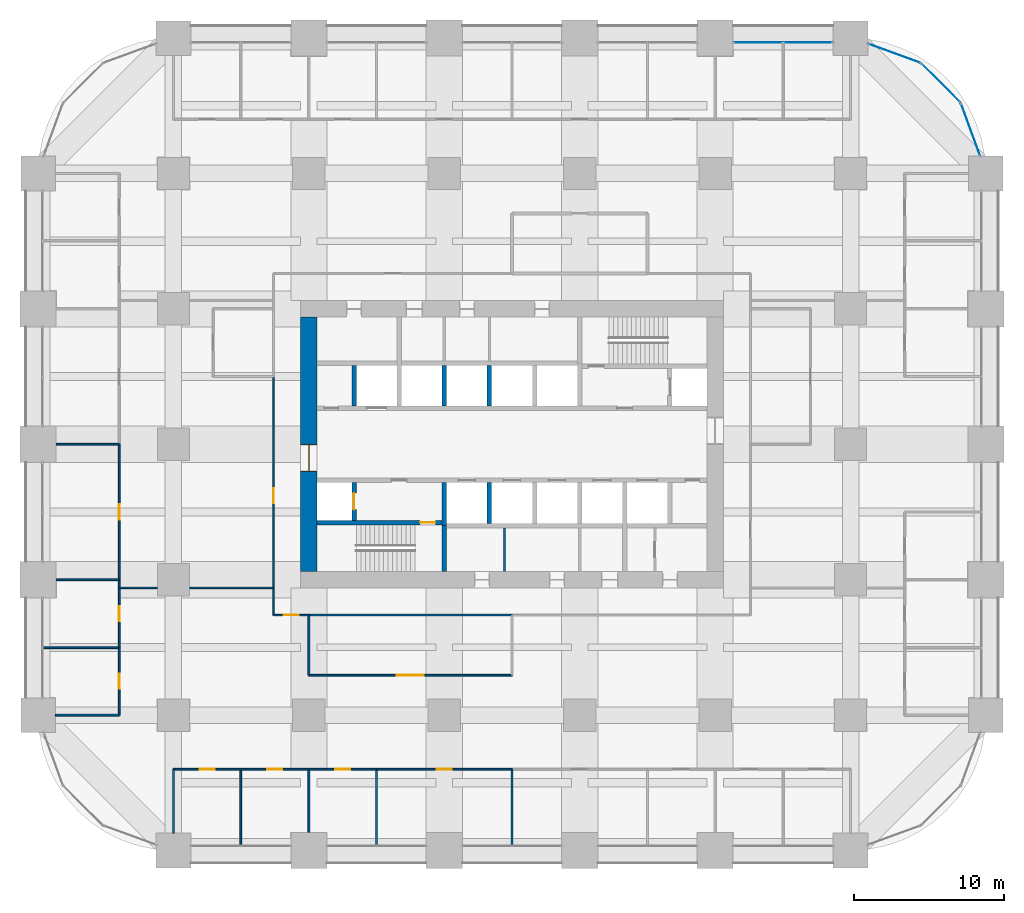
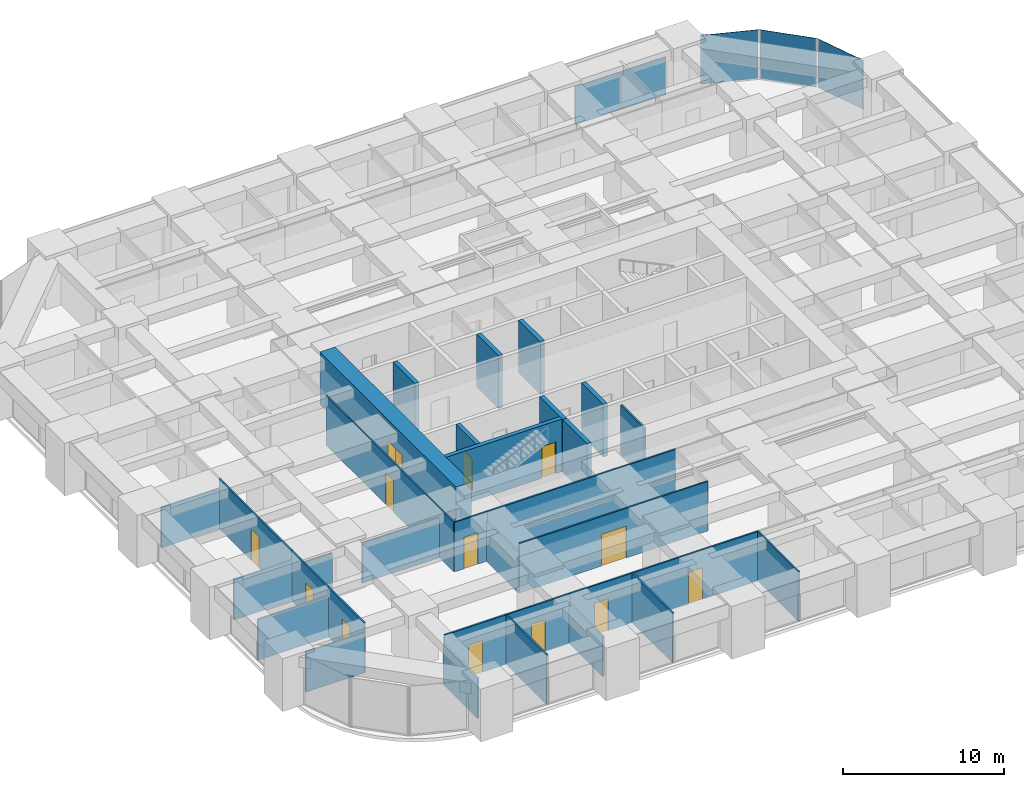
# One storey, part 39 of 45: 33 walls, 13 doors, 5 plates, 13 openings, 4 elements without a shape of their own.
"""IFC4 building model written with IfcOpenShell, lengths in metres."""

from ifc_helpers import new_model, si_unit, direction, frame, frame_2d, origin, origin_2d, place, context, subcontext, project, spatial, rectangle, extrude, material, layer, layer_set, type_object, element, fill, aggregate, save


model = new_model("IFC4")

# Units and contexts
model_context = context("Model", 3, precision=1e-05, world=origin(), true_north=direction((0.0, 1.0)))
body_context = subcontext(model_context, "Body", "Model", "MODEL_VIEW")
ifc_project = project(units=[si_unit("LENGTHUNIT", "METRE"), si_unit("AREAUNIT", "SQUARE_METRE"), si_unit("VOLUMEUNIT", "CUBIC_METRE"), si_unit("PLANEANGLEUNIT", "RADIAN"), si_unit("MASSUNIT", "GRAM", prefix="KILO")], contexts=[model_context])

# Site, building, storey
site_placement = place(None, origin())
site = spatial("IfcSite", under=ifc_project, at=site_placement, CompositionType="ELEMENT")
building_placement = place(site_placement, origin())
building = spatial("IfcBuilding", under=site, at=building_placement, Name="Zorevar Civic Tower", CompositionType="ELEMENT")
storey_placement = place(building_placement, frame((0.0, 0.0, 71.800048828125)))
storey = spatial("IfcBuildingStorey", under=building, at=storey_placement, Name="L17", CompositionType="ELEMENT", Elevation=71.800048828125)

# Curtain wall, plates
ifc_material_1 = material(Name="Dark grey solar-control glass in black aluminium frame", Category="aluminium")
curtain_wall_type = type_object("IfcCurtainWallType", Name="Curtain wall CW2 low zone", PredefinedType="NOTDEFINED", material=ifc_material_1)
curtain_wall_1_placement = place(storey_placement, origin())
curtain_wall_1 = element("IfcCurtainWall", 1, at=curtain_wall_1_placement, inside=storey, type_object=curtain_wall_type, Name="CW2 L17", PredefinedType="NOTDEFINED")
ifc_material_2 = material(Name="Dark grey solar-control glass", Category="glass")
ifc_layer_1 = layer(ifc_material_2, 0.031982421875)
ifc_layer_set_1 = layer_set([ifc_layer_1], Name="CW2 panel 32")
plate_type = type_object("IfcPlateType", Name="CW2 panel 32", PredefinedType="CURTAIN_PANEL", material=ifc_layer_set_1)
plate_1_placement = place(storey_placement, frame((47.87744140625, 53.699951171875, 0.06005859375), z_axis=(0.0, 0.0, 1.0), x_axis=(1.0, 0.0, 0.0)))
plate_1 = element("IfcPlate", 2, at=plate_1_placement, type_object=plate_type, Name="CW2 panel 1.1", PredefinedType="CURTAIN_PANEL", context=body_context, shape_type="SweptSolid", body=[
    extrude(rectangle(XDim=3.235107421875, YDim=0.031982421875, at=origin_2d()), origin(), (0.0, 0.0, 1.0), 2.889892578125),
])
plate_2_placement = place(storey_placement, frame((51.172607421875, 53.699951171875, 0.06005859375), z_axis=(0.0, 0.0, 1.0), x_axis=(1.0, 0.0, 0.0)))
plate_2 = element("IfcPlate", 3, at=plate_2_placement, type_object=plate_type, Name="CW2 panel 2.1", PredefinedType="CURTAIN_PANEL", context=body_context, shape_type="SweptSolid", body=[
    extrude(rectangle(XDim=3.235107421875, YDim=0.031982421875, at=origin_2d()), origin(), (0.0, 0.0, 1.0), 2.889892578125),
])
aggregate(curtain_wall_1, [plate_1, plate_2])

# Curtain wall, plate
curtain_wall_2_placement = place(storey_placement, origin())
curtain_wall_2 = element("IfcCurtainWall", 4, at=curtain_wall_2_placement, inside=storey, type_object=curtain_wall_type, Name="CW2 L17", PredefinedType="NOTDEFINED")
plate_3_placement = place(storey_placement, frame((61.979248046875, 47.914306640625, 0.06005859375), z_axis=(0.0, 0.0, 1.0), x_axis=(-0.343060400701, 0.939313345732, 0.0)))
plate_3 = element("IfcPlate", 5, at=plate_3_placement, type_object=plate_type, Name="CW2 panel 1.1", PredefinedType="CURTAIN_PANEL", context=body_context, shape_type="SweptSolid", body=[
    extrude(rectangle(XDim=3.636474609375, YDim=0.031982421875, at=origin_2d()), origin(), (0.0, 0.0, 1.0), 3.68994140625),
])
aggregate(curtain_wall_2, [plate_3])

curtain_wall_3_placement = place(storey_placement, origin())
curtain_wall_3 = element("IfcCurtainWall", 6, at=curtain_wall_3_placement, inside=storey, type_object=curtain_wall_type, Name="CW2 L17", PredefinedType="NOTDEFINED")
plate_4_placement = place(storey_placement, frame((60.0068359375, 51.0068359375, 0.06005859375), z_axis=(0.0, 0.0, 1.0), x_axis=(-0.707106781187, 0.707106781187, 0.0)))
plate_4 = element("IfcPlate", 7, at=plate_4_placement, type_object=plate_type, Name="CW2 panel 1.1", PredefinedType="CURTAIN_PANEL", context=body_context, shape_type="SweptSolid", body=[
    extrude(rectangle(XDim=3.636474609375, YDim=0.031982421875, at=origin_2d()), origin(), (0.0, 0.0, 1.0), 3.68994140625),
])
aggregate(curtain_wall_3, [plate_4])

curtain_wall_4_placement = place(storey_placement, origin())
curtain_wall_4 = element("IfcCurtainWall", 8, at=curtain_wall_4_placement, inside=storey, type_object=curtain_wall_type, Name="CW2 L17", PredefinedType="NOTDEFINED")
plate_5_placement = place(storey_placement, frame((56.914306640625, 52.979248046875, 0.06005859375), z_axis=(0.0, 0.0, 1.0), x_axis=(-0.939313345732, 0.343060400701, 0.0)))
plate_5 = element("IfcPlate", 9, at=plate_5_placement, type_object=plate_type, Name="CW2 panel 1.1", PredefinedType="CURTAIN_PANEL", context=body_context, shape_type="SweptSolid", body=[
    extrude(rectangle(XDim=3.636474609375, YDim=0.031982421875, at=origin_2d()), origin(), (0.0, 0.0, 1.0), 3.68994140625),
])
aggregate(curtain_wall_4, [plate_5])

# Wall, opening, door
ifc_material_3 = material(Name="Concrete C50/60", Category="concrete")
ifc_layer_2 = layer(ifc_material_3, 1.10009765625)
ifc_layer_set_2 = layer_set([ifc_layer_2], Name="Core wall 1100")
wall_type_1 = type_object("IfcWallType", Name="Core wall 1100", PredefinedType="SHEAR", material=ifc_layer_set_2)
wall_1_placement = place(storey_placement, frame((18.0, 35.449951171875, 0.0), z_axis=(0.0, 0.0, 1.0), x_axis=(0.0, -1.0, 0.0)))
wall_1 = element("IfcWall", 10, at=wall_1_placement, inside=storey, type_object=wall_type_1, Name="Core wall W L17", PredefinedType="SHEAR", context=body_context, shape_type="SweptSolid", body=[
    extrude(rectangle(XDim=16.89990234375, YDim=1.10009765625, at=frame_2d((8.449951171875, 0.0))), origin(), (0.0, 0.0, 1.0), 4.0),
])
opening_1_placement = place(wall_1_placement, frame((8.449951171875, 0.0, 0.0)))
opening_1 = element("IfcOpeningElement", 11, at=opening_1_placement, cuts=wall_1, Name="Opening L17.01", PredefinedType="OPENING", context=body_context, shape_type="SweptSolid", body=[
    extrude(rectangle(XDim=1.800048828125, YDim=2.39990234375, at=frame_2d((0.89990234375, 1.199951171875))), frame((0.0, 0.56005859375, 0.0), z_axis=(0.0, -1.0, 0.0), x_axis=(1.0, 0.0, 0.0)), (0.0, 0.0, 1.0), 1.1201171875),
])
ifc_material_4 = material(Name="Steel door set", Category="steel")
door_type_1 = type_object("IfcDoorType", Name="Fire door FD2 1800x2400", OperationType="DOUBLE_DOOR_DOUBLE_SWING", PredefinedType="DOOR", material=ifc_material_4)
door_1_placement = place(opening_1_placement, origin())
door_1 = element("IfcDoor", 12, at=door_1_placement, inside=storey, type_object=door_type_1, Name="Door L17 00", OperationType="DOUBLE_DOOR_DOUBLE_SWING", OverallHeight=2.39990234375, OverallWidth=1.800048828125, PredefinedType="DOOR", context=body_context, shape_type="SweptSolid", body=[
    extrude(rectangle(XDim=1.800048828125, YDim=2.39990234375, at=frame_2d((0.89990234375, 1.199951171875))), frame((0.0, 0.030029296875, 0.0), z_axis=(0.0, -1.0, 0.0), x_axis=(1.0, 0.0, 0.0)), (0.0, 0.0, 1.0), 0.06005859375),
    extrude(rectangle(XDim=0.04, YDim=2.39990234375, at=frame_2d((0.02001953125, 1.199951171875))), frame((0.0, 0.5498046875, 0.0), z_axis=(0.0, -1.0, 0.0), x_axis=(1.0, 0.0, 0.0)), (0.0, 0.0, 1.0), 1.099609375),
    extrude(rectangle(XDim=0.04, YDim=2.39990234375, at=frame_2d((1.780029296875, 1.199951171875))), frame((0.0, 0.5498046875, 0.0), z_axis=(0.0, -1.0, 0.0), x_axis=(1.0, 0.0, 0.0)), (0.0, 0.0, 1.0), 1.099609375),
    extrude(rectangle(XDim=1.800048828125, YDim=0.04, at=frame_2d((0.89990234375, 2.3798828125))), frame((0.0, 0.5498046875, 0.0), z_axis=(0.0, -1.0, 0.0), x_axis=(1.0, 0.0, 0.0)), (0.0, 0.0, 1.0), 1.099609375),
])
fill(opening_1, door_1)

ifc_material_5 = material(Name="Laminated glass in black aluminium frame", Category="aluminium")
ifc_layer_3 = layer(ifc_material_5, 0.10009765625)
ifc_layer_set_3 = layer_set([ifc_layer_3], Name="Glazed partition 100")
wall_type_2 = type_object("IfcWallType", Name="Glazed partition 100", PredefinedType="PARTITIONING", material=ifc_layer_set_3)
wall_2_placement = place(storey_placement, frame((15.64990234375, 15.64990234375, 0.0), z_axis=(0.0, 0.0, 1.0), x_axis=(1.0, 0.0, 0.0)))
wall_2 = element("IfcWall", 13, at=wall_2_placement, inside=storey, type_object=wall_type_2, Name="Glazed partition 100 L17", PredefinedType="PARTITIONING", context=body_context, shape_type="SweptSolid", body=[
    extrude(rectangle(XDim=2.35009765625, YDim=0.10009765625, at=frame_2d((1.175048828125, 0.0))), origin(), (0.0, 0.0, 1.0), 3.75),
])
opening_2_placement = place(wall_2_placement, frame((0.675048828125, 0.0, 0.0)))
opening_2 = element("IfcOpeningElement", 14, at=opening_2_placement, cuts=wall_2, Name="Opening L17.26", PredefinedType="OPENING", context=body_context, shape_type="SweptSolid", body=[
    extrude(rectangle(XDim=1.0, YDim=2.39990234375, at=frame_2d((0.5, 1.199951171875))), frame((0.0, 0.06005859375, 0.0), z_axis=(0.0, -1.0, 0.0), x_axis=(1.0, 0.0, 0.0)), (0.0, 0.0, 1.0), 0.1201171875),
])
ifc_material_6 = material(Name="Timber door set", Category="wood")
door_type_2 = type_object("IfcDoorType", Name="Glazed door GD1 1000x2400", OperationType="SINGLE_SWING_LEFT", PredefinedType="DOOR", material=ifc_material_6)
door_2_placement = place(opening_2_placement, origin())
door_2 = element("IfcDoor", 15, at=door_2_placement, inside=storey, type_object=door_type_2, Name="Door L17 D1", OperationType="SINGLE_SWING_RIGHT", OverallHeight=2.39990234375, OverallWidth=1.0, PredefinedType="DOOR", context=body_context, shape_type="SweptSolid", body=[
    extrude(rectangle(XDim=1.0, YDim=2.39990234375, at=frame_2d((0.5, 1.199951171875))), frame((0.0, 0.02001953125, 0.0), z_axis=(0.0, -1.0, 0.0), x_axis=(1.0, 0.0, 0.0)), (0.0, 0.0, 1.0), 0.0400390625),
])
fill(opening_2, door_2)

# Walls
wall_3_placement = place(storey_placement, frame((5.389892578125, 17.449951171875, 0.0), z_axis=(0.0, 0.0, 1.0), x_axis=(1.0, 0.0, 0.0)))
element("IfcWall", 16, at=wall_3_placement, inside=storey, type_object=wall_type_2, Name="Glazed partition 100 L17", PredefinedType="PARTITIONING", context=body_context, shape_type="SweptSolid", body=[
    extrude(rectangle(XDim=2.53515625, YDim=0.10009765625, at=frame_2d((1.267578125, 0.0))), origin(), (0.0, 0.0, 1.0), 3.050048828125),
])
wall_4_placement = place(storey_placement, frame((10.074951171875, 17.449951171875, 0.0), z_axis=(0.0, 0.0, 1.0), x_axis=(1.0, 0.0, 0.0)))
element("IfcWall", 17, at=wall_4_placement, inside=storey, type_object=wall_type_2, Name="Glazed partition 100 L17", PredefinedType="PARTITIONING", context=body_context, shape_type="SweptSolid", body=[
    extrude(rectangle(XDim=5.574951171875, YDim=0.10009765625, at=frame_2d((2.78759765625, 0.0))), origin(), (0.0, 0.0, 1.0), 3.050048828125),
])

# Wall, opening, door
wall_5_placement = place(storey_placement, frame((15.64990234375, 15.64990234375, 0.0), z_axis=(0.0, 0.0, 1.0), x_axis=(0.0, 1.0, 0.0)))
wall_5 = element("IfcWall", 18, at=wall_5_placement, inside=storey, type_object=wall_type_2, Name="Glazed partition 100 L17", PredefinedType="PARTITIONING", context=body_context, shape_type="SweptSolid", body=[
    extrude(rectangle(XDim=15.85009765625, YDim=0.10009765625, at=frame_2d((7.925048828125, 0.0))), origin(), (0.0, 0.0, 1.0), 3.75),
])
opening_3_placement = place(wall_5_placement, frame((7.425048828125, 0.0, 0.0)))
opening_3 = element("IfcOpeningElement", 19, at=opening_3_placement, cuts=wall_5, Name="Opening L17.44", PredefinedType="OPENING", context=body_context, shape_type="SweptSolid", body=[
    extrude(rectangle(XDim=1.0, YDim=2.39990234375, at=frame_2d((0.5, 1.199951171875))), frame((0.0, 0.06005859375, 0.0), z_axis=(0.0, -1.0, 0.0), x_axis=(1.0, 0.0, 0.0)), (0.0, 0.0, 1.0), 0.1201171875),
])
door_3_placement = place(opening_3_placement, origin())
door_3 = element("IfcDoor", 20, at=door_3_placement, inside=storey, type_object=door_type_2, Name="Door L17 D1", OperationType="SINGLE_SWING_RIGHT", OverallHeight=2.39990234375, OverallWidth=1.0, PredefinedType="DOOR", context=body_context, shape_type="SweptSolid", body=[
    extrude(rectangle(XDim=1.0, YDim=2.39990234375, at=frame_2d((0.5, 1.199951171875))), frame((0.0, 0.02001953125, 0.0), z_axis=(0.0, -1.0, 0.0), x_axis=(1.0, 0.0, 0.0)), (0.0, 0.0, 1.0), 0.0400390625),
])
fill(opening_3, door_3)

ifc_material_7 = material(Name="Concrete C40/50", Category="concrete")
ifc_layer_4 = layer(ifc_material_7, 0.300048828125)
ifc_layer_set_4 = layer_set([ifc_layer_4], Name="Inner core wall 300")
wall_type_3 = type_object("IfcWallType", Name="Inner core wall 300", PredefinedType="SHEAR", material=ifc_layer_set_4)
wall_6_placement = place(storey_placement, frame((18.550048828125, 21.800048828125, 0.0), z_axis=(0.0, 0.0, 1.0), x_axis=(1.0, 0.0, 0.0)))
wall_6 = element("IfcWall", 21, at=wall_6_placement, inside=storey, type_object=wall_type_3, Name="Inner core wall S00 L17", PredefinedType="SHEAR", context=body_context, shape_type="SweptSolid", body=[
    extrude(rectangle(XDim=8.300048828125, YDim=0.300048828125, at=frame_2d((4.14990234375, 0.0))), origin(), (0.0, 0.0, 1.0), 4.0),
])
opening_4_placement = place(wall_6_placement, frame((6.85009765625, 0.0, 0.0)))
opening_4 = element("IfcOpeningElement", 22, at=opening_4_placement, cuts=wall_6, Name="Opening L17.11", PredefinedType="OPENING", context=body_context, shape_type="SweptSolid", body=[
    extrude(rectangle(XDim=1.0, YDim=2.39990234375, at=frame_2d((0.5, 1.199951171875))), frame((0.0, 0.159912109375, 0.0), z_axis=(0.0, -1.0, 0.0), x_axis=(1.0, 0.0, 0.0)), (0.0, 0.0, 1.0), 0.320068359375),
])
ifc_material_8 = material(Name="Steel door set", Category="steel")
door_type_3 = type_object("IfcDoorType", Name="Fire door FD1 1000x2400", OperationType="SINGLE_SWING_LEFT", PredefinedType="DOOR", material=ifc_material_8)
door_4_placement = place(opening_4_placement, origin())
door_4 = element("IfcDoor", 23, at=door_4_placement, inside=storey, type_object=door_type_3, Name="Door L17 10", OperationType="SINGLE_SWING_RIGHT", OverallHeight=2.39990234375, OverallWidth=1.0, PredefinedType="DOOR", context=body_context, shape_type="SweptSolid", body=[
    extrude(rectangle(XDim=1.0, YDim=2.39990234375, at=frame_2d((0.5, 1.199951171875))), frame((0.0, 0.030029296875, 0.0), z_axis=(0.0, -1.0, 0.0), x_axis=(1.0, 0.0, 0.0)), (0.0, 0.0, 1.0), 0.06005859375),
])
fill(opening_4, door_4)

# Wall
wall_7_placement = place(storey_placement, frame((27.0, 18.550048828125, 0.0), z_axis=(0.0, 0.0, 1.0), x_axis=(0.0, 1.0, 0.0)))
element("IfcWall", 24, at=wall_7_placement, inside=storey, type_object=wall_type_3, Name="Inner core wall S01 L17", PredefinedType="SHEAR", context=body_context, shape_type="SweptSolid", body=[
    extrude(rectangle(XDim=3.050048828125, YDim=0.300048828125, at=frame_2d((1.52490234375, 0.0))), origin(), (0.0, 0.0, 1.0), 4.0),
])

# Wall, opening, door
wall_8_placement = place(storey_placement, frame((21.0, 21.949951171875, 0.0), z_axis=(0.0, 0.0, 1.0), x_axis=(0.0, 1.0, 0.0)))
wall_8 = element("IfcWall", 25, at=wall_8_placement, inside=storey, type_object=wall_type_3, Name="Inner core wall S02 L17", PredefinedType="SHEAR", context=body_context, shape_type="SweptSolid", body=[
    extrude(rectangle(XDim=2.5, YDim=0.300048828125, at=frame_2d((1.25, 0.0))), origin(), (0.0, 0.0, 1.0), 4.0),
])
opening_5_placement = place(wall_8_placement, frame((0.699951171875, 0.0, 0.0)))
opening_5 = element("IfcOpeningElement", 26, at=opening_5_placement, cuts=wall_8, Name="Opening L17.FL1", PredefinedType="OPENING", context=body_context, shape_type="SweptSolid", body=[
    extrude(rectangle(XDim=1.10009765625, YDim=2.39990234375, at=frame_2d((0.550048828125, 1.199951171875))), frame((0.0, 0.159912109375, 0.0), z_axis=(0.0, -1.0, 0.0), x_axis=(1.0, 0.0, 0.0)), (0.0, 0.0, 1.0), 0.320068359375),
])
ifc_material_9 = material(Name="Steel door set", Category="steel")
door_type_4 = type_object("IfcDoorType", Name="Firefighting lift landing door LD3 1100x2400", OperationType="DOUBLE_DOOR_SLIDING", PredefinedType="DOOR", material=ifc_material_9)
door_5_placement = place(opening_5_placement, origin())
door_5 = element("IfcDoor", 27, at=door_5_placement, inside=storey, type_object=door_type_4, Name="Landing door FL1 L17", OperationType="DOUBLE_DOOR_SLIDING", OverallHeight=2.39990234375, OverallWidth=1.10009765625, PredefinedType="DOOR", context=body_context, shape_type="SweptSolid", body=[
    extrude(rectangle(XDim=1.10009765625, YDim=2.39990234375, at=frame_2d((0.550048828125, 1.199951171875))), frame((0.0, 0.030029296875, 0.0), z_axis=(0.0, -1.0, 0.0), x_axis=(1.0, 0.0, 0.0)), (0.0, 0.0, 1.0), 0.06005859375),
])
fill(opening_5, door_5)

# Walls
for number, where, z_axis, x_axis, name in (
    (28, (30.0, 21.75, 0.0), (0.0, 0.0, 1.0), (0.0, 1.0, 0.0), "Inner core wall S05 L17"),
    (29, (30.0, 29.550048828125, 0.0), (0.0, 0.0, 1.0), (0.0, 1.0, 0.0), "Inner core wall N06 L17"),
    (30, (27.0, 29.550048828125, 0.0), (0.0, 0.0, 1.0), (0.0, 1.0, 0.0), "Inner core wall N07 L17"),
    (31, (21.0, 29.550048828125, 0.0), (0.0, 0.0, 1.0), (0.0, 1.0, 0.0), "Inner core wall N09 L17"),
):
    element("IfcWall", number, at=place(storey_placement, frame(where, z_axis=z_axis, x_axis=x_axis)), inside=storey, type_object=wall_type_3, Name=name, PredefinedType="SHEAR", context=body_context, shape_type="SweptSolid", body=[
        extrude(rectangle(XDim=2.699951171875, YDim=0.300048828125, at=frame_2d((1.35009765625, 0.0))), origin(), (0.0, 0.0, 1.0), 4.0),
    ])
wall_9_placement = place(storey_placement, frame((27.0, 21.60009765625, 0.0), z_axis=(0.0, 0.0, 1.0), x_axis=(0.0, 1.0, 0.0)))
element("IfcWall", 32, at=wall_9_placement, inside=storey, type_object=wall_type_3, Name="Inner core wall S10 L17", PredefinedType="SHEAR", context=body_context, shape_type="SweptSolid", body=[
    extrude(rectangle(XDim=2.849853515625, YDim=0.300048828125, at=frame_2d((1.4248046875, 0.0))), origin(), (0.0, 0.0, 1.0), 4.0),
])

# Wall, opening, door
ifc_material_10 = material(Name="Gypsum board on steel studs", Category="steel")
ifc_layer_5 = layer(ifc_material_10, 0.1201171875)
ifc_layer_set_5 = layer_set([ifc_layer_5], Name="Partition 120")
wall_type_4 = type_object("IfcWallType", Name="Partition 120", PredefinedType="PARTITIONING", material=ifc_layer_set_5)
wall_10_placement = place(storey_placement, frame((9.0, 5.39990234375, 0.0), z_axis=(0.0, 0.0, 1.0), x_axis=(1.0, 0.0, 0.0)))
wall_10 = element("IfcWall", 33, at=wall_10_placement, inside=storey, type_object=wall_type_4, Name="Partition 120 L17", PredefinedType="PARTITIONING", context=body_context, shape_type="SweptSolid", body=[
    extrude(rectangle(XDim=4.47509765625, YDim=0.1201171875, at=frame_2d((2.237548828125, 0.0))), origin(), (0.0, 0.0, 1.0), 3.75),
])
opening_6_placement = place(wall_10_placement, frame((1.738037109375, 0.0, 0.0)))
opening_6 = element("IfcOpeningElement", 34, at=opening_6_placement, cuts=wall_10, Name="Opening L17.17", PredefinedType="OPENING", context=body_context, shape_type="SweptSolid", body=[
    extrude(rectangle(XDim=1.0, YDim=2.39990234375, at=frame_2d((0.5, 1.199951171875))), frame((0.0, 0.070068359375, 0.0), z_axis=(0.0, -1.0, 0.0), x_axis=(1.0, 0.0, 0.0)), (0.0, 0.0, 1.0), 0.14013671875),
])
ifc_material_11 = material(Name="Timber door set", Category="wood")
door_type_5 = type_object("IfcDoorType", Name="Door D1 1000x2400", OperationType="SINGLE_SWING_LEFT", PredefinedType="DOOR", material=ifc_material_11)
door_6_placement = place(opening_6_placement, origin())
door_6 = element("IfcDoor", 35, at=door_6_placement, inside=storey, type_object=door_type_5, Name="Door L17 D1", OperationType="SINGLE_SWING_RIGHT", OverallHeight=2.39990234375, OverallWidth=1.0, PredefinedType="DOOR", context=body_context, shape_type="SweptSolid", body=[
    extrude(rectangle(XDim=1.0, YDim=2.39990234375, at=frame_2d((0.5, 1.199951171875))), frame((0.0, 0.02490234375, 0.0), z_axis=(0.0, -1.0, 0.0), x_axis=(1.0, 0.0, 0.0)), (0.0, 0.0, 1.0), 0.050048828125),
])
fill(opening_6, door_6)

wall_11_placement = place(storey_placement, frame((13.47509765625, 5.39990234375, 0.0), z_axis=(0.0, 0.0, 1.0), x_axis=(1.0, 0.0, 0.0)))
wall_11 = element("IfcWall", 36, at=wall_11_placement, inside=storey, type_object=wall_type_4, Name="Partition 120 L17", PredefinedType="PARTITIONING", context=body_context, shape_type="SweptSolid", body=[
    extrude(rectangle(XDim=4.52490234375, YDim=0.1201171875, at=frame_2d((2.262451171875, 0.0))), origin(), (0.0, 0.0, 1.0), 3.75),
])
opening_7_placement = place(wall_11_placement, frame((1.762939453125, 0.0, 0.0)))
opening_7 = element("IfcOpeningElement", 37, at=opening_7_placement, cuts=wall_11, Name="Opening L17.18", PredefinedType="OPENING", context=body_context, shape_type="SweptSolid", body=[
    extrude(rectangle(XDim=1.0, YDim=2.39990234375, at=frame_2d((0.5, 1.199951171875))), frame((0.0, 0.070068359375, 0.0), z_axis=(0.0, -1.0, 0.0), x_axis=(1.0, 0.0, 0.0)), (0.0, 0.0, 1.0), 0.14013671875),
])
door_7_placement = place(opening_7_placement, origin())
door_7 = element("IfcDoor", 38, at=door_7_placement, inside=storey, type_object=door_type_5, Name="Door L17 D1", OperationType="SINGLE_SWING_RIGHT", OverallHeight=2.39990234375, OverallWidth=1.0, PredefinedType="DOOR", context=body_context, shape_type="SweptSolid", body=[
    extrude(rectangle(XDim=1.0, YDim=2.39990234375, at=frame_2d((0.5, 1.199951171875))), frame((0.0, 0.02490234375, 0.0), z_axis=(0.0, -1.0, 0.0), x_axis=(1.0, 0.0, 0.0)), (0.0, 0.0, 1.0), 0.050048828125),
])
fill(opening_7, door_7)

wall_12_placement = place(storey_placement, frame((18.0, 5.39990234375, 0.0), z_axis=(0.0, 0.0, 1.0), x_axis=(1.0, 0.0, 0.0)))
wall_12 = element("IfcWall", 39, at=wall_12_placement, inside=storey, type_object=wall_type_4, Name="Partition 120 L17", PredefinedType="PARTITIONING", context=body_context, shape_type="SweptSolid", body=[
    extrude(rectangle(XDim=4.5, YDim=0.1201171875, at=frame_2d((2.25, 0.0))), origin(), (0.0, 0.0, 1.0), 3.75),
])
opening_8_placement = place(wall_12_placement, frame((1.75, 0.0, 0.0)))
opening_8 = element("IfcOpeningElement", 40, at=opening_8_placement, cuts=wall_12, Name="Opening L17.19", PredefinedType="OPENING", context=body_context, shape_type="SweptSolid", body=[
    extrude(rectangle(XDim=1.0, YDim=2.39990234375, at=frame_2d((0.5, 1.199951171875))), frame((0.0, 0.070068359375, 0.0), z_axis=(0.0, -1.0, 0.0), x_axis=(1.0, 0.0, 0.0)), (0.0, 0.0, 1.0), 0.14013671875),
])
door_8_placement = place(opening_8_placement, origin())
door_8 = element("IfcDoor", 41, at=door_8_placement, inside=storey, type_object=door_type_5, Name="Door L17 D1", OperationType="SINGLE_SWING_RIGHT", OverallHeight=2.39990234375, OverallWidth=1.0, PredefinedType="DOOR", context=body_context, shape_type="SweptSolid", body=[
    extrude(rectangle(XDim=1.0, YDim=2.39990234375, at=frame_2d((0.5, 1.199951171875))), frame((0.0, 0.02490234375, 0.0), z_axis=(0.0, -1.0, 0.0), x_axis=(1.0, 0.0, 0.0)), (0.0, 0.0, 1.0), 0.050048828125),
])
fill(opening_8, door_8)

wall_13_placement = place(storey_placement, frame((22.5, 5.39990234375, 0.0), z_axis=(0.0, 0.0, 1.0), x_axis=(1.0, 0.0, 0.0)))
wall_13 = element("IfcWall", 42, at=wall_13_placement, inside=storey, type_object=wall_type_4, Name="Partition 120 L17", PredefinedType="PARTITIONING", context=body_context, shape_type="SweptSolid", body=[
    extrude(rectangle(XDim=9.0, YDim=0.1201171875, at=frame_2d((4.5, 0.0))), origin(), (0.0, 0.0, 1.0), 3.75),
])
opening_9_placement = place(wall_13_placement, frame((4.0, 0.0, 0.0)))
opening_9 = element("IfcOpeningElement", 43, at=opening_9_placement, cuts=wall_13, Name="Opening L17.20", PredefinedType="OPENING", context=body_context, shape_type="SweptSolid", body=[
    extrude(rectangle(XDim=1.0, YDim=2.39990234375, at=frame_2d((0.5, 1.199951171875))), frame((0.0, 0.070068359375, 0.0), z_axis=(0.0, -1.0, 0.0), x_axis=(1.0, 0.0, 0.0)), (0.0, 0.0, 1.0), 0.14013671875),
])
door_9_placement = place(opening_9_placement, origin())
door_9 = element("IfcDoor", 44, at=door_9_placement, inside=storey, type_object=door_type_5, Name="Door L17 D1", OperationType="SINGLE_SWING_RIGHT", OverallHeight=2.39990234375, OverallWidth=1.0, PredefinedType="DOOR", context=body_context, shape_type="SweptSolid", body=[
    extrude(rectangle(XDim=1.0, YDim=2.39990234375, at=frame_2d((0.5, 1.199951171875))), frame((0.0, 0.02490234375, 0.0), z_axis=(0.0, -1.0, 0.0), x_axis=(1.0, 0.0, 0.0)), (0.0, 0.0, 1.0), 0.050048828125),
])
fill(opening_9, door_9)

# Wall
wall_14_placement = place(storey_placement, frame((1.14990234375, 9.0, 0.0), z_axis=(0.0, 0.0, 1.0), x_axis=(1.0, 0.0, 0.0)))
element("IfcWall", 45, at=wall_14_placement, inside=storey, type_object=wall_type_4, Name="Partition 120 L17", PredefinedType="PARTITIONING", context=body_context, shape_type="SweptSolid", body=[
    extrude(rectangle(XDim=4.25, YDim=0.1201171875, at=frame_2d((2.125, 0.0))), origin(), (0.0, 0.0, 1.0), 3.050048828125),
])

# Wall, opening, door
wall_15_placement = place(storey_placement, frame((18.0, 11.64990234375, 0.0), z_axis=(0.0, 0.0, 1.0), x_axis=(1.0, 0.0, 0.0)))
wall_15 = element("IfcWall", 46, at=wall_15_placement, inside=storey, type_object=wall_type_4, Name="Partition 120 L17", PredefinedType="PARTITIONING", context=body_context, shape_type="SweptSolid", body=[
    extrude(rectangle(XDim=13.5, YDim=0.1201171875, at=frame_2d((6.75, 0.0))), origin(), (0.0, 0.0, 1.0), 3.75),
])
opening_10_placement = place(wall_15_placement, frame((5.85009765625, 0.0, 0.0)))
opening_10 = element("IfcOpeningElement", 47, at=opening_10_placement, cuts=wall_15, Name="Opening L17.25", PredefinedType="OPENING", context=body_context, shape_type="SweptSolid", body=[
    extrude(rectangle(XDim=1.800048828125, YDim=2.39990234375, at=frame_2d((0.89990234375, 1.199951171875))), frame((0.0, 0.070068359375, 0.0), z_axis=(0.0, -1.0, 0.0), x_axis=(1.0, 0.0, 0.0)), (0.0, 0.0, 1.0), 0.14013671875),
])
ifc_material_12 = material(Name="Steel door set", Category="steel")
door_type_6 = type_object("IfcDoorType", Name="Door D2 1800x2400", OperationType="DOUBLE_DOOR_SINGLE_SWING", PredefinedType="DOOR", material=ifc_material_12)
door_10_placement = place(opening_10_placement, origin())
door_10 = element("IfcDoor", 48, at=door_10_placement, inside=storey, type_object=door_type_6, Name="Door L17 D1", OperationType="DOUBLE_DOOR_SINGLE_SWING", OverallHeight=2.39990234375, OverallWidth=1.800048828125, PredefinedType="DOOR", context=body_context, shape_type="SweptSolid", body=[
    extrude(rectangle(XDim=1.800048828125, YDim=2.39990234375, at=frame_2d((0.89990234375, 1.199951171875))), frame((0.0, 0.02490234375, 0.0), z_axis=(0.0, -1.0, 0.0), x_axis=(1.0, 0.0, 0.0)), (0.0, 0.0, 1.0), 0.050048828125),
])
fill(opening_10, door_10)

# Walls
wall_16_placement = place(storey_placement, frame((0.31005859375, 13.47509765625, 0.0), z_axis=(0.0, 0.0, 1.0), x_axis=(1.0, 0.0, 0.0)))
element("IfcWall", 49, at=wall_16_placement, inside=storey, type_object=wall_type_4, Name="Partition 120 L17", PredefinedType="PARTITIONING", context=body_context, shape_type="SweptSolid", body=[
    extrude(rectangle(XDim=5.08984375, YDim=0.1201171875, at=frame_2d((2.544921875, 0.0))), origin(), (0.0, 0.0, 1.0), 3.099853515625),
])
wall_17_placement = place(storey_placement, frame((18.0, 15.64990234375, 0.0), z_axis=(0.0, 0.0, 1.0), x_axis=(1.0, 0.0, 0.0)))
element("IfcWall", 50, at=wall_17_placement, inside=storey, type_object=wall_type_4, Name="Partition 120 L17", PredefinedType="PARTITIONING", context=body_context, shape_type="SweptSolid", body=[
    extrude(rectangle(XDim=13.5, YDim=0.1201171875, at=frame_2d((6.75, 0.0))), origin(), (0.0, 0.0, 1.0), 3.75),
])
for number, where, z_axis, x_axis, name in (
    (51, (1.199951171875, 18.0, 0.0), (0.0, 0.0, 1.0), (1.0, 0.0, 0.0), "Partition 120 L17"),
    (52, (1.199951171875, 27.0, 0.0), (0.0, 0.0, 1.0), (1.0, 0.0, 0.0), "Partition 120 L17"),
):
    element("IfcWall", number, at=place(storey_placement, frame(where, z_axis=z_axis, x_axis=x_axis)), inside=storey, type_object=wall_type_4, Name=name, PredefinedType="PARTITIONING", context=body_context, shape_type="SweptSolid", body=[
        extrude(rectangle(XDim=4.199951171875, YDim=0.1201171875, at=frame_2d((2.10009765625, 0.0))), origin(), (0.0, 0.0, 1.0), 3.050048828125),
    ])

# Wall, opening, door
wall_18_placement = place(storey_placement, frame((5.39990234375, 9.0, 0.0), z_axis=(0.0, 0.0, 1.0), x_axis=(0.0, 1.0, 0.0)))
wall_18 = element("IfcWall", 53, at=wall_18_placement, inside=storey, type_object=wall_type_4, Name="Partition 120 L17", PredefinedType="PARTITIONING", context=body_context, shape_type="SweptSolid", body=[
    extrude(rectangle(XDim=4.47509765625, YDim=0.1201171875, at=frame_2d((2.237548828125, 0.0))), origin(), (0.0, 0.0, 1.0), 3.75),
])
opening_11_placement = place(wall_18_placement, frame((1.738037109375, 0.0, 0.0)))
opening_11 = element("IfcOpeningElement", 54, at=opening_11_placement, cuts=wall_18, Name="Opening L17.37", PredefinedType="OPENING", context=body_context, shape_type="SweptSolid", body=[
    extrude(rectangle(XDim=1.0, YDim=2.39990234375, at=frame_2d((0.5, 1.199951171875))), frame((0.0, 0.070068359375, 0.0), z_axis=(0.0, -1.0, 0.0), x_axis=(1.0, 0.0, 0.0)), (0.0, 0.0, 1.0), 0.14013671875),
])
door_11_placement = place(opening_11_placement, origin())
door_11 = element("IfcDoor", 55, at=door_11_placement, inside=storey, type_object=door_type_5, Name="Door L17 D1", OperationType="SINGLE_SWING_RIGHT", OverallHeight=2.39990234375, OverallWidth=1.0, PredefinedType="DOOR", context=body_context, shape_type="SweptSolid", body=[
    extrude(rectangle(XDim=1.0, YDim=2.39990234375, at=frame_2d((0.5, 1.199951171875))), frame((0.0, 0.02490234375, 0.0), z_axis=(0.0, -1.0, 0.0), x_axis=(1.0, 0.0, 0.0)), (0.0, 0.0, 1.0), 0.050048828125),
])
fill(opening_11, door_11)

wall_19_placement = place(storey_placement, frame((5.39990234375, 13.47509765625, 0.0), z_axis=(0.0, 0.0, 1.0), x_axis=(0.0, 1.0, 0.0)))
wall_19 = element("IfcWall", 56, at=wall_19_placement, inside=storey, type_object=wall_type_4, Name="Partition 120 L17", PredefinedType="PARTITIONING", context=body_context, shape_type="SweptSolid", body=[
    extrude(rectangle(XDim=4.52490234375, YDim=0.1201171875, at=frame_2d((2.262451171875, 0.0))), origin(), (0.0, 0.0, 1.0), 3.75),
])
opening_12_placement = place(wall_19_placement, frame((1.762939453125, 0.0, 0.0)))
opening_12 = element("IfcOpeningElement", 57, at=opening_12_placement, cuts=wall_19, Name="Opening L17.38", PredefinedType="OPENING", context=body_context, shape_type="SweptSolid", body=[
    extrude(rectangle(XDim=1.0, YDim=2.39990234375, at=frame_2d((0.5, 1.199951171875))), frame((0.0, 0.070068359375, 0.0), z_axis=(0.0, -1.0, 0.0), x_axis=(1.0, 0.0, 0.0)), (0.0, 0.0, 1.0), 0.14013671875),
])
door_12_placement = place(opening_12_placement, origin())
door_12 = element("IfcDoor", 58, at=door_12_placement, inside=storey, type_object=door_type_5, Name="Door L17 D1", OperationType="SINGLE_SWING_RIGHT", OverallHeight=2.39990234375, OverallWidth=1.0, PredefinedType="DOOR", context=body_context, shape_type="SweptSolid", body=[
    extrude(rectangle(XDim=1.0, YDim=2.39990234375, at=frame_2d((0.5, 1.199951171875))), frame((0.0, 0.02490234375, 0.0), z_axis=(0.0, -1.0, 0.0), x_axis=(1.0, 0.0, 0.0)), (0.0, 0.0, 1.0), 0.050048828125),
])
fill(opening_12, door_12)

wall_20_placement = place(storey_placement, frame((5.39990234375, 18.0, 0.0), z_axis=(0.0, 0.0, 1.0), x_axis=(0.0, 1.0, 0.0)))
wall_20 = element("IfcWall", 59, at=wall_20_placement, inside=storey, type_object=wall_type_4, Name="Partition 120 L17", PredefinedType="PARTITIONING", context=body_context, shape_type="SweptSolid", body=[
    extrude(rectangle(XDim=9.0, YDim=0.1201171875, at=frame_2d((4.5, 0.0))), origin(), (0.0, 0.0, 1.0), 3.75),
])
opening_13_placement = place(wall_20_placement, frame((4.0, 0.0, 0.0)))
opening_13 = element("IfcOpeningElement", 60, at=opening_13_placement, cuts=wall_20, Name="Opening L17.39", PredefinedType="OPENING", context=body_context, shape_type="SweptSolid", body=[
    extrude(rectangle(XDim=1.0, YDim=2.39990234375, at=frame_2d((0.5, 1.199951171875))), frame((0.0, 0.070068359375, 0.0), z_axis=(0.0, -1.0, 0.0), x_axis=(1.0, 0.0, 0.0)), (0.0, 0.0, 1.0), 0.14013671875),
])
door_13_placement = place(opening_13_placement, origin())
door_13 = element("IfcDoor", 61, at=door_13_placement, inside=storey, type_object=door_type_5, Name="Door L17 D1", OperationType="SINGLE_SWING_LEFT", OverallHeight=2.39990234375, OverallWidth=1.0, PredefinedType="DOOR", context=body_context, shape_type="SweptSolid", body=[
    extrude(rectangle(XDim=1.0, YDim=2.39990234375, at=frame_2d((0.5, 1.199951171875))), frame((0.0, 0.02490234375, 0.0), z_axis=(0.0, -1.0, 0.0), x_axis=(1.0, 0.0, 0.0)), (0.0, 0.0, 1.0), 0.050048828125),
])
fill(opening_13, door_13)

# Walls
wall_21_placement = place(storey_placement, frame((9.0, 1.14990234375, 0.0), z_axis=(0.0, 0.0, 1.0), x_axis=(0.0, 1.0, 0.0)))
element("IfcWall", 62, at=wall_21_placement, inside=storey, type_object=wall_type_4, Name="Partition 120 L17", PredefinedType="PARTITIONING", context=body_context, shape_type="SweptSolid", body=[
    extrude(rectangle(XDim=4.25, YDim=0.1201171875, at=frame_2d((2.125, 0.0))), origin(), (0.0, 0.0, 1.0), 3.050048828125),
])
wall_22_placement = place(storey_placement, frame((13.47509765625, 0.31005859375, 0.0), z_axis=(0.0, 0.0, 1.0), x_axis=(0.0, 1.0, 0.0)))
element("IfcWall", 63, at=wall_22_placement, inside=storey, type_object=wall_type_4, Name="Partition 120 L17", PredefinedType="PARTITIONING", context=body_context, shape_type="SweptSolid", body=[
    extrude(rectangle(XDim=5.08984375, YDim=0.1201171875, at=frame_2d((2.544921875, 0.0))), origin(), (0.0, 0.0, 1.0), 3.75),
])
wall_23_placement = place(storey_placement, frame((18.0, 1.199951171875, 0.0), z_axis=(0.0, 0.0, 1.0), x_axis=(0.0, 1.0, 0.0)))
element("IfcWall", 64, at=wall_23_placement, inside=storey, type_object=wall_type_4, Name="Partition 120 L17", PredefinedType="PARTITIONING", context=body_context, shape_type="SweptSolid", body=[
    extrude(rectangle(XDim=4.199951171875, YDim=0.1201171875, at=frame_2d((2.10009765625, 0.0))), origin(), (0.0, 0.0, 1.0), 3.050048828125),
])
wall_24_placement = place(storey_placement, frame((18.0, 11.64990234375, 0.0), z_axis=(0.0, 0.0, 1.0), x_axis=(0.0, 1.0, 0.0)))
element("IfcWall", 65, at=wall_24_placement, inside=storey, type_object=wall_type_4, Name="Partition 120 L17", PredefinedType="PARTITIONING", context=body_context, shape_type="SweptSolid", body=[
    extrude(rectangle(XDim=4.0, YDim=0.1201171875, at=frame_2d((2.0, 0.0))), origin(), (0.0, 0.0, 1.0), 3.050048828125),
])
for number, where, z_axis, x_axis, name in (
    (66, (22.5, 0.31005859375, 0.0), (0.0, 0.0, 1.0), (0.0, 1.0, 0.0), "Partition 120 L17"),
    (67, (31.5, 0.31005859375, 0.0), (0.0, 0.0, 1.0), (0.0, 1.0, 0.0), "Partition 120 L17"),
):
    element("IfcWall", number, at=place(storey_placement, frame(where, z_axis=z_axis, x_axis=x_axis)), inside=storey, type_object=wall_type_4, Name=name, PredefinedType="PARTITIONING", context=body_context, shape_type="SweptSolid", body=[
        extrude(rectangle(XDim=5.08984375, YDim=0.1201171875, at=frame_2d((2.544921875, 0.0))), origin(), (0.0, 0.0, 1.0), 3.75),
    ])
ifc_material_13 = material(Name="Gypsum board on steel studs, moisture resistant", Category="steel")
ifc_layer_6 = layer(ifc_material_13, 0.14990234375)
ifc_layer_set_6 = layer_set([ifc_layer_6], Name="WC partition 150")
wall_type_5 = type_object("IfcWallType", Name="WC partition 150", PredefinedType="PARTITIONING", material=ifc_layer_set_6)
wall_25_placement = place(storey_placement, frame((31.0, 18.550048828125, 0.0), z_axis=(0.0, 0.0, 1.0), x_axis=(0.0, 1.0, 0.0)))
element("IfcWall", 68, at=wall_25_placement, inside=storey, type_object=wall_type_5, Name="WC partition L17", PredefinedType="PARTITIONING", context=body_context, shape_type="SweptSolid", body=[
    extrude(rectangle(XDim=2.89990234375, YDim=0.14990234375, at=frame_2d((1.449951171875, 0.0))), origin(), (0.0, 0.0, 1.0), 3.75),
])

save(model, "model.ifc")
